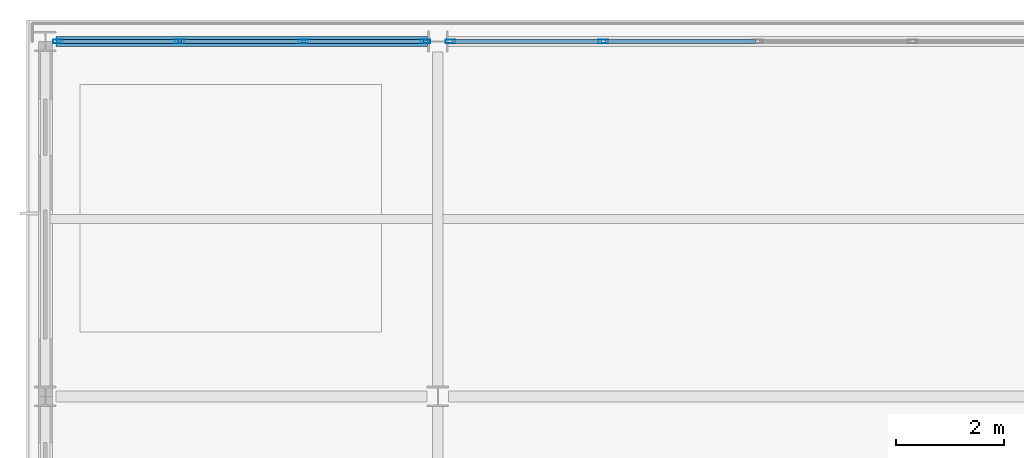
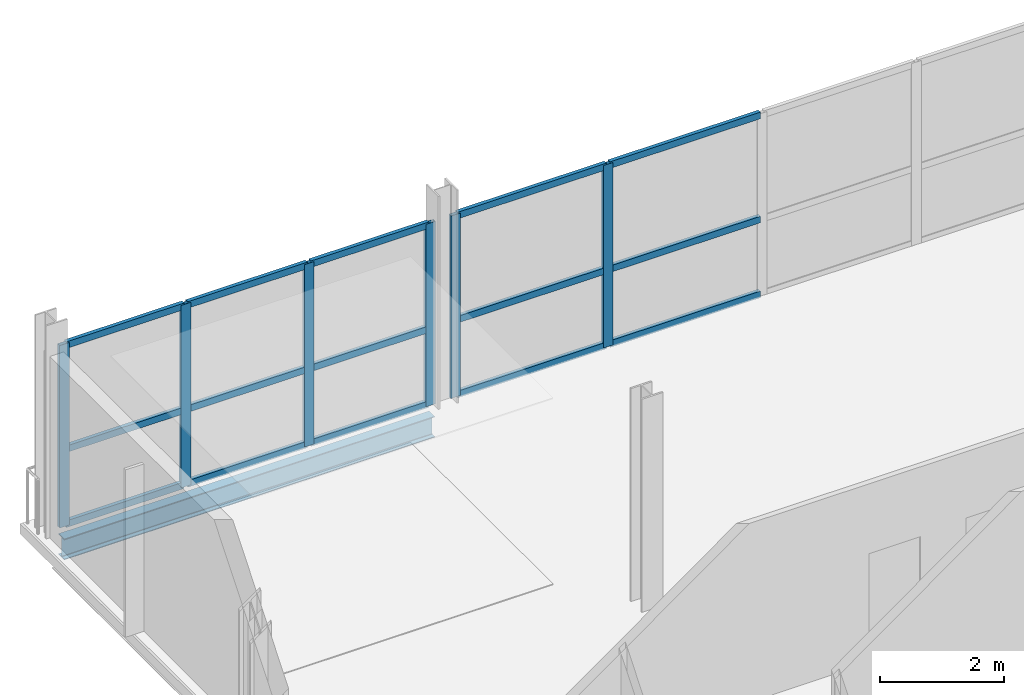
# One storey, part 14 of 36: 21 members, 1 beam, 2 elements without a shape of their own.
"""IFC4 building model written with IfcOpenShell, lengths in metres."""

from ifc_helpers import new_model, si_unit, direction, frame, origin, origin_2d, place, context, subcontext, project, spatial, hollow_rectangle, i_section, extrude, material, layer, layer_set, material_profile, profile_set, type_object, element, aggregate, save


model = new_model("IFC4")

# Units and contexts
model_context = context("Model", 3, precision=1e-05, world=origin(), true_north=direction((0.0, 1.0)))
body_context = subcontext(model_context, "Body", "Model", "MODEL_VIEW")
ifc_project = project(units=[si_unit("LENGTHUNIT", "METRE"), si_unit("AREAUNIT", "SQUARE_METRE"), si_unit("VOLUMEUNIT", "CUBIC_METRE"), si_unit("PLANEANGLEUNIT", "RADIAN"), si_unit("MASSUNIT", "GRAM", prefix="KILO")], contexts=[model_context])

# Site, building, storey
site_placement = place(None, origin())
site = spatial("IfcSite", under=ifc_project, at=site_placement, CompositionType="ELEMENT")
building_placement = place(site_placement, origin())
building = spatial("IfcBuilding", under=site, at=building_placement, Name="Quillay Park Conservatory", CompositionType="ELEMENT")
storey_placement = place(building_placement, frame((0.0, 0.0, 18.300048828125)))
storey = spatial("IfcBuildingStorey", under=building, at=storey_placement, Name="L04", CompositionType="ELEMENT", Elevation=18.300048828125)

# Curtain wall, members
ifc_material_1 = material(Name="Thermally Broken Anodised Aluminium 6063-T6", Category="aluminium")
ifc_layer = layer(ifc_material_1, 0.179931640625)
ifc_layer_set = layer_set([ifc_layer], Name="UNITISED CURTAIN WALL TOWER (Thermally Broken Anodised Aluminium 6063-T6)")
curtain_wall_type = type_object("IfcCurtainWallType", Name="UNITISED CURTAIN WALL TOWER", PredefinedType="USERDEFINED", material=ifc_layer_set)
curtain_wall_1_placement = place(storey_placement, origin())
curtain_wall_1 = element("IfcCurtainWall", 1, at=curtain_wall_1_placement, inside=storey, type_object=curtain_wall_type, Name="L04 Unitised Curtain Wall 045", ObjectType="UNITISED CURTAIN WALL", PredefinedType="USERDEFINED")
ifc_material_2 = material(Name="Thermally Broken Anodised Aluminium 6063-T6", Category="aluminium")
ifc_material_profile_1 = material_profile(ifc_material_2, hollow_rectangle(XDim=0.070068359375, YDim=0.179931640625, WallThickness=0.00390625, at=origin_2d()), Name="AL70x180x4")
ifc_profile_set_1 = profile_set([ifc_material_profile_1], Name="Thermally Broken Anodised Aluminium 6063-T6")
member_type_1 = type_object("IfcMemberType", Name="CURTAIN WALL MULLION 70 X180", PredefinedType="MULLION", material=ifc_profile_set_1)
member_1_placement = place(storey_placement, frame((0.784912109375, 113.39990234375, 0.0), z_axis=(0.0, 0.0, 1.0), x_axis=(0.0, 1.0, 0.0)))
member_1 = element("IfcMember", 2, at=member_1_placement, type_object=member_type_1, Name="CW-T1 mullion 1", PredefinedType="MULLION", context=body_context, shape_type="SweptSolid", body=[
    extrude(hollow_rectangle(XDim=0.070068359375, YDim=0.179931640625, WallThickness=0.00390625, at=origin_2d()), origin(), (0.0, 0.0, 1.0), 3.598876953125),
])
member_2_placement = place(storey_placement, frame((3.050048828125, 113.39990234375, 0.0), z_axis=(0.0, 0.0, 1.0), x_axis=(0.0, 1.0, 0.0)))
member_2 = element("IfcMember", 3, at=member_2_placement, type_object=member_type_1, Name="CW-T1 mullion 2", PredefinedType="MULLION", context=body_context, shape_type="SweptSolid", body=[
    extrude(hollow_rectangle(XDim=0.070068359375, YDim=0.179931640625, WallThickness=0.00390625, at=origin_2d()), origin(), (0.0, 0.0, 1.0), 3.598876953125),
])
member_3_placement = place(storey_placement, frame((5.35009765625, 113.39990234375, 0.0), z_axis=(0.0, 0.0, 1.0), x_axis=(0.0, 1.0, 0.0)))
member_3 = element("IfcMember", 4, at=member_3_placement, type_object=member_type_1, Name="CW-T1 mullion 3", PredefinedType="MULLION", context=body_context, shape_type="SweptSolid", body=[
    extrude(hollow_rectangle(XDim=0.070068359375, YDim=0.179931640625, WallThickness=0.00390625, at=origin_2d()), origin(), (0.0, 0.0, 1.0), 3.598876953125),
])
member_4_placement = place(storey_placement, frame((7.614990234375, 113.39990234375, 0.0), z_axis=(0.0, 0.0, 1.0), x_axis=(0.0, 1.0, 0.0)))
member_4 = element("IfcMember", 5, at=member_4_placement, type_object=member_type_1, Name="CW-T1 mullion 4", PredefinedType="MULLION", context=body_context, shape_type="SweptSolid", body=[
    extrude(hollow_rectangle(XDim=0.070068359375, YDim=0.179931640625, WallThickness=0.00390625, at=origin_2d()), origin(), (0.0, 0.0, 1.0), 3.598876953125),
])

curtain_wall_2_placement = place(storey_placement, origin())
curtain_wall_2 = element("IfcCurtainWall", 6, at=curtain_wall_2_placement, inside=storey, type_object=curtain_wall_type, Name="L04 Unitised Curtain Wall 046", ObjectType="UNITISED CURTAIN WALL", PredefinedType="USERDEFINED")
member_5_placement = place(storey_placement, frame((8.0849609375, 113.39990234375, 0.0), z_axis=(0.0, 0.0, 1.0), x_axis=(0.0, 1.0, 0.0)))
member_5 = element("IfcMember", 7, at=member_5_placement, type_object=member_type_1, Name="CW-T1 mullion 1", PredefinedType="MULLION", context=body_context, shape_type="SweptSolid", body=[
    extrude(hollow_rectangle(XDim=0.070068359375, YDim=0.179931640625, WallThickness=0.00390625, at=origin_2d()), origin(), (0.0, 0.0, 1.0), 3.598876953125),
])
member_6_placement = place(storey_placement, frame((10.925048828125, 113.39990234375, 0.0), z_axis=(0.0, 0.0, 1.0), x_axis=(0.0, 1.0, 0.0)))
member_6 = element("IfcMember", 8, at=member_6_placement, type_object=member_type_1, Name="CW-T1 mullion 2", PredefinedType="MULLION", context=body_context, shape_type="SweptSolid", body=[
    extrude(hollow_rectangle(XDim=0.070068359375, YDim=0.179931640625, WallThickness=0.00390625, at=origin_2d()), origin(), (0.0, 0.0, 1.0), 3.598876953125),
])

# Member
ifc_material_3 = material(Name="Thermally Broken Anodised Aluminium 6063-T6", Category="aluminium")
ifc_material_profile_2 = material_profile(ifc_material_3, hollow_rectangle(XDim=0.070068359375, YDim=0.1298828125, WallThickness=0.003173828125, at=origin_2d()), Name="AL70x130x3.2")
ifc_profile_set_2 = profile_set([ifc_material_profile_2], Name="Thermally Broken Anodised Aluminium 6063-T6")
member_type_2 = type_object("IfcMemberType", Name="CURTAIN WALL TRANSOM 70 X130", PredefinedType="USERDEFINED", material=ifc_profile_set_2)
member_7_placement = place(storey_placement, frame((0.820068359375, 113.39990234375, 0.034912109375), z_axis=(1.0, 0.0, 0.0), x_axis=(0.0, 1.0, 0.0)))
member_7 = element("IfcMember", 9, at=member_7_placement, type_object=member_type_2, Name="CW-T1 transom 1.1", ObjectType="TRANSOM", PredefinedType="USERDEFINED", context=body_context, shape_type="SweptSolid", body=[
    extrude(hollow_rectangle(XDim=0.070068359375, YDim=0.1298828125, WallThickness=0.003173828125, at=origin_2d()), origin(), (0.0, 0.0, 1.0), 2.19482421875),
])

member_8_placement = place(storey_placement, frame((0.820068359375, 113.39990234375, 1.511474609375), z_axis=(1.0, 0.0, 0.0), x_axis=(0.0, 1.0, 0.0)))
member_8 = element("IfcMember", 10, at=member_8_placement, type_object=member_type_2, Name="CW-T1 transom 1.2", ObjectType="TRANSOM", PredefinedType="USERDEFINED", context=body_context, shape_type="SweptSolid", body=[
    extrude(hollow_rectangle(XDim=0.070068359375, YDim=0.1298828125, WallThickness=0.003173828125, at=origin_2d()), origin(), (0.0, 0.0, 1.0), 2.19482421875),
])

member_9_placement = place(storey_placement, frame((0.820068359375, 113.39990234375, 3.56396484375), z_axis=(1.0, 0.0, 0.0), x_axis=(0.0, 1.0, 0.0)))
member_9 = element("IfcMember", 11, at=member_9_placement, type_object=member_type_2, Name="CW-T1 transom 1.3", ObjectType="TRANSOM", PredefinedType="USERDEFINED", context=body_context, shape_type="SweptSolid", body=[
    extrude(hollow_rectangle(XDim=0.070068359375, YDim=0.1298828125, WallThickness=0.003173828125, at=origin_2d()), origin(), (0.0, 0.0, 1.0), 2.19482421875),
])

member_10_placement = place(storey_placement, frame((3.0849609375, 113.39990234375, 0.034912109375), z_axis=(1.0, 0.0, 0.0), x_axis=(0.0, 1.0, 0.0)))
member_10 = element("IfcMember", 12, at=member_10_placement, type_object=member_type_2, Name="CW-T1 transom 2.1", ObjectType="TRANSOM", PredefinedType="USERDEFINED", context=body_context, shape_type="SweptSolid", body=[
    extrude(hollow_rectangle(XDim=0.070068359375, YDim=0.1298828125, WallThickness=0.003173828125, at=origin_2d()), origin(), (0.0, 0.0, 1.0), 2.22998046875),
])

member_11_placement = place(storey_placement, frame((3.0849609375, 113.39990234375, 1.511474609375), z_axis=(1.0, 0.0, 0.0), x_axis=(0.0, 1.0, 0.0)))
member_11 = element("IfcMember", 13, at=member_11_placement, type_object=member_type_2, Name="CW-T1 transom 2.2", ObjectType="TRANSOM", PredefinedType="USERDEFINED", context=body_context, shape_type="SweptSolid", body=[
    extrude(hollow_rectangle(XDim=0.070068359375, YDim=0.1298828125, WallThickness=0.003173828125, at=origin_2d()), origin(), (0.0, 0.0, 1.0), 2.22998046875),
])

member_12_placement = place(storey_placement, frame((3.0849609375, 113.39990234375, 3.56396484375), z_axis=(1.0, 0.0, 0.0), x_axis=(0.0, 1.0, 0.0)))
member_12 = element("IfcMember", 14, at=member_12_placement, type_object=member_type_2, Name="CW-T1 transom 2.3", ObjectType="TRANSOM", PredefinedType="USERDEFINED", context=body_context, shape_type="SweptSolid", body=[
    extrude(hollow_rectangle(XDim=0.070068359375, YDim=0.1298828125, WallThickness=0.003173828125, at=origin_2d()), origin(), (0.0, 0.0, 1.0), 2.22998046875),
])

member_13_placement = place(storey_placement, frame((5.385009765625, 113.39990234375, 0.034912109375), z_axis=(1.0, 0.0, 0.0), x_axis=(0.0, 1.0, 0.0)))
member_13 = element("IfcMember", 15, at=member_13_placement, type_object=member_type_2, Name="CW-T1 transom 3.1", ObjectType="TRANSOM", PredefinedType="USERDEFINED", context=body_context, shape_type="SweptSolid", body=[
    extrude(hollow_rectangle(XDim=0.070068359375, YDim=0.1298828125, WallThickness=0.003173828125, at=origin_2d()), origin(), (0.0, 0.0, 1.0), 2.195068359375),
])

member_14_placement = place(storey_placement, frame((5.385009765625, 113.39990234375, 1.511474609375), z_axis=(1.0, 0.0, 0.0), x_axis=(0.0, 1.0, 0.0)))
member_14 = element("IfcMember", 16, at=member_14_placement, type_object=member_type_2, Name="CW-T1 transom 3.2", ObjectType="TRANSOM", PredefinedType="USERDEFINED", context=body_context, shape_type="SweptSolid", body=[
    extrude(hollow_rectangle(XDim=0.070068359375, YDim=0.1298828125, WallThickness=0.003173828125, at=origin_2d()), origin(), (0.0, 0.0, 1.0), 2.195068359375),
])

member_15_placement = place(storey_placement, frame((5.385009765625, 113.39990234375, 3.56396484375), z_axis=(1.0, 0.0, 0.0), x_axis=(0.0, 1.0, 0.0)))
member_15 = element("IfcMember", 17, at=member_15_placement, type_object=member_type_2, Name="CW-T1 transom 3.3", ObjectType="TRANSOM", PredefinedType="USERDEFINED", context=body_context, shape_type="SweptSolid", body=[
    extrude(hollow_rectangle(XDim=0.070068359375, YDim=0.1298828125, WallThickness=0.003173828125, at=origin_2d()), origin(), (0.0, 0.0, 1.0), 2.195068359375),
])

aggregate(curtain_wall_1, [member_1, member_2, member_3, member_4, member_7, member_8, member_9, member_10, member_11, member_12, member_13, member_14, member_15])

member_16_placement = place(storey_placement, frame((8.1201171875, 113.39990234375, 0.034912109375), z_axis=(1.0, 0.0, 0.0), x_axis=(0.0, 1.0, 0.0)))
member_16 = element("IfcMember", 18, at=member_16_placement, type_object=member_type_2, Name="CW-T1 transom 1.1", ObjectType="TRANSOM", PredefinedType="USERDEFINED", context=body_context, shape_type="SweptSolid", body=[
    extrude(hollow_rectangle(XDim=0.070068359375, YDim=0.1298828125, WallThickness=0.003173828125, at=origin_2d()), origin(), (0.0, 0.0, 1.0), 2.769775390625),
])

member_17_placement = place(storey_placement, frame((8.1201171875, 113.39990234375, 1.511474609375), z_axis=(1.0, 0.0, 0.0), x_axis=(0.0, 1.0, 0.0)))
member_17 = element("IfcMember", 19, at=member_17_placement, type_object=member_type_2, Name="CW-T1 transom 1.2", ObjectType="TRANSOM", PredefinedType="USERDEFINED", context=body_context, shape_type="SweptSolid", body=[
    extrude(hollow_rectangle(XDim=0.070068359375, YDim=0.1298828125, WallThickness=0.003173828125, at=origin_2d()), origin(), (0.0, 0.0, 1.0), 2.769775390625),
])

member_18_placement = place(storey_placement, frame((8.1201171875, 113.39990234375, 3.56396484375), z_axis=(1.0, 0.0, 0.0), x_axis=(0.0, 1.0, 0.0)))
member_18 = element("IfcMember", 20, at=member_18_placement, type_object=member_type_2, Name="CW-T1 transom 1.3", ObjectType="TRANSOM", PredefinedType="USERDEFINED", context=body_context, shape_type="SweptSolid", body=[
    extrude(hollow_rectangle(XDim=0.070068359375, YDim=0.1298828125, WallThickness=0.003173828125, at=origin_2d()), origin(), (0.0, 0.0, 1.0), 2.769775390625),
])

member_19_placement = place(storey_placement, frame((10.9599609375, 113.39990234375, 0.034912109375), z_axis=(1.0, 0.0, 0.0), x_axis=(0.0, 1.0, 0.0)))
member_19 = element("IfcMember", 21, at=member_19_placement, type_object=member_type_2, Name="CW-T1 transom 2.1", ObjectType="TRANSOM", PredefinedType="USERDEFINED", context=body_context, shape_type="SweptSolid", body=[
    extrude(hollow_rectangle(XDim=0.070068359375, YDim=0.1298828125, WallThickness=0.003173828125, at=origin_2d()), origin(), (0.0, 0.0, 1.0), 2.804931640625),
])

member_20_placement = place(storey_placement, frame((10.9599609375, 113.39990234375, 1.511474609375), z_axis=(1.0, 0.0, 0.0), x_axis=(0.0, 1.0, 0.0)))
member_20 = element("IfcMember", 22, at=member_20_placement, type_object=member_type_2, Name="CW-T1 transom 2.2", ObjectType="TRANSOM", PredefinedType="USERDEFINED", context=body_context, shape_type="SweptSolid", body=[
    extrude(hollow_rectangle(XDim=0.070068359375, YDim=0.1298828125, WallThickness=0.003173828125, at=origin_2d()), origin(), (0.0, 0.0, 1.0), 2.804931640625),
])

member_21_placement = place(storey_placement, frame((10.9599609375, 113.39990234375, 3.56396484375), z_axis=(1.0, 0.0, 0.0), x_axis=(0.0, 1.0, 0.0)))
member_21 = element("IfcMember", 23, at=member_21_placement, type_object=member_type_2, Name="CW-T1 transom 2.3", ObjectType="TRANSOM", PredefinedType="USERDEFINED", context=body_context, shape_type="SweptSolid", body=[
    extrude(hollow_rectangle(XDim=0.070068359375, YDim=0.1298828125, WallThickness=0.003173828125, at=origin_2d()), origin(), (0.0, 0.0, 1.0), 2.804931640625),
])

aggregate(curtain_wall_2, [member_5, member_6, member_16, member_17, member_18, member_19, member_20, member_21])

# Beam
ifc_material_4 = material(Name="Steel ASTM A992 Grade 50", Category="steel")
ifc_material_profile_3 = material_profile(ifc_material_4, i_section(OverallWidth=0.179931640625, OverallDepth=0.4130859375, WebThickness=0.009765625, FlangeThickness=0.01611328125, FilletRadius=0.011962890625, at=origin_2d()), Name="W410x74")
ifc_profile_set_3 = profile_set([ifc_material_profile_3], Name="Steel ASTM A992 Grade 50")
beam_type = type_object("IfcBeamType", Name="PERIMETER SPANDREL BEAM W410 X74", PredefinedType="SPANDREL", material=ifc_profile_set_3)
beam_placement = place(storey_placement, frame((0.74755859375, 113.39990234375, -0.406494140625), z_axis=(1.0, 0.0, 0.0), x_axis=(0.0, 1.0, 0.0)))
element("IfcBeam", 24, at=beam_placement, inside=storey, type_object=beam_type, Name="L04 beam BM-SP-0331", PredefinedType="SPANDREL", context=body_context, shape_type="SweptSolid", body=[
    extrude(i_section(OverallWidth=0.179931640625, OverallDepth=0.4130859375, WebThickness=0.009765625, FlangeThickness=0.01611328125, FilletRadius=0.011962890625, at=origin_2d()), origin(), (0.0, 0.0, 1.0), 6.912353515625),
])

save(model, "model.ifc")
